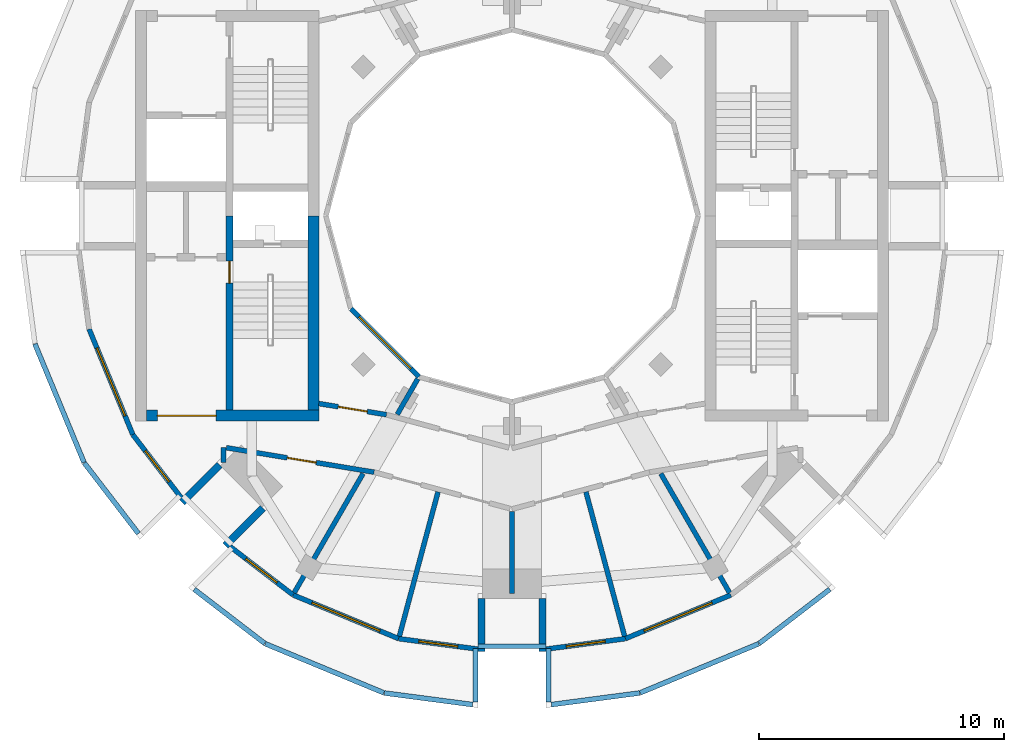
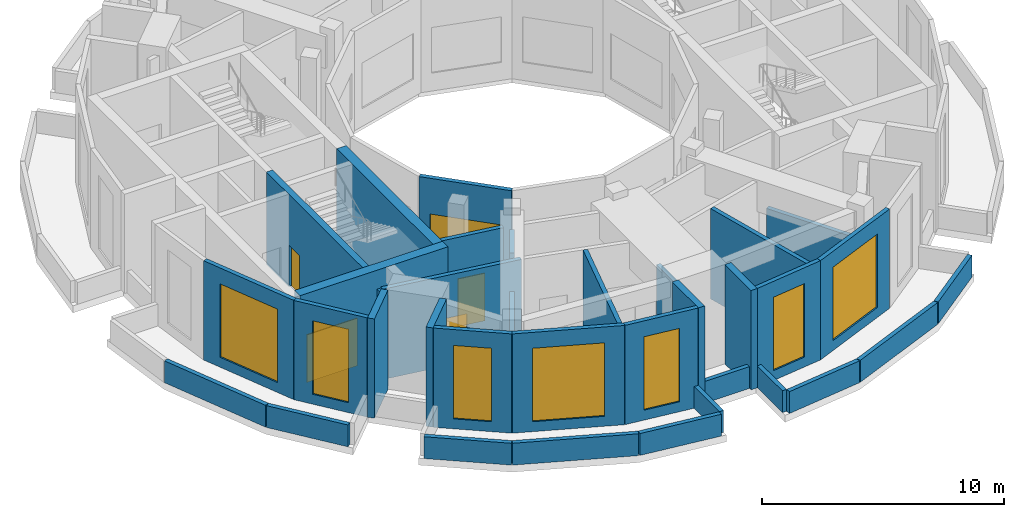
# One storey, part 2 of 8: 35 walls, 8 windows, 4 doors, 12 openings.
"""IFC4 building model written with IfcOpenShell, lengths in metres."""

import ifcopenshell
import ifcopenshell.guid

model = None  # the IFC model being written
_history = None  # IfcOwnerHistory: only IFC2X3 demands one
_inside = {}  # id of a spatial element -> (the spatial element, [elements in it])
_under = {}  # id of a project, library or spatial element -> (it, [spatial elements below it])
_declared = {}  # id of a project -> (the project, [libraries it declares])
_typed = {}  # id of a type object -> (the type object, [elements of that type])
_made_of = {}  # id of a material, layer set ... -> (it, [elements and type objects made of it])


def new_model(schema):
    """Start an empty IFC model of exactly this schema.

    Asked for "IFC4X3", IfcOpenShell would pick the latest addendum, in which some entities
    have other attributes; the version numbers below select the first issue.
    IFC2X3 requires an IfcOwnerHistory on every rooted entity: one is made here for all.
    """
    global model, _history
    if schema == "IFC4X3":
        model = ifcopenshell.file(schema_version=(4, 3, 0, 0))
    else:
        model = ifcopenshell.file(schema=schema)
    _inside.clear()
    _under.clear()
    _declared.clear()
    _typed.clear()
    _made_of.clear()
    _history = None
    if model.schema == "IFC2X3":
        org = make("IfcOrganization", Name="unknown")
        user = make(
            "IfcPersonAndOrganization",
            ThePerson=make("IfcPerson", FamilyName="unknown"),
            TheOrganization=org,
        )
        app = make(
            "IfcApplication",
            ApplicationDeveloper=org,
            Version="unknown",
            ApplicationFullName="unknown",
            ApplicationIdentifier="unknown",
        )
        _history = make(
            "IfcOwnerHistory",
            OwningUser=user,
            OwningApplication=app,
            ChangeAction="ADDED",
            CreationDate=0,
        )
    return model


def make(cls, **values):
    """One entity of the class cls with the attributes given. An attribute that is None is left unset."""
    return model.create_entity(
        cls, **{name: value for name, value in values.items() if value is not None}
    )


def rooted(cls, **values):
    """An entity with a GlobalId (a new one), such as an element, a storey or a relation."""
    return make(cls, GlobalId=ifcopenshell.guid.new(), OwnerHistory=_history, **values)


def si_unit(unit_type, name, prefix=None):
    """IfcSIUnit, for example si_unit("LENGTHUNIT", "METRE", prefix="MILLI")."""
    return make("IfcSIUnit", UnitType=unit_type, Prefix=prefix, Name=name)


def assignment(units):
    """IfcUnitAssignment: the units of a project."""
    return None if units is None else make("IfcUnitAssignment", Units=units)


def point(xyz):
    """IfcCartesianPoint."""
    return None if xyz is None else make("IfcCartesianPoint", Coordinates=xyz)


def direction(xyz):
    """IfcDirection."""
    return None if xyz is None else make("IfcDirection", DirectionRatios=xyz)


def frame(location, z_axis=None, x_axis=None):
    """IfcAxis2Placement3D, a coordinate frame: its origin and axes. An axis left out is left unset."""
    return make(
        "IfcAxis2Placement3D",
        Location=point(location),
        Axis=direction(z_axis),
        RefDirection=direction(x_axis),
    )


def frame_2d(location, x_axis=None):
    """IfcAxis2Placement2D, a coordinate frame in the plane: its origin and x axis."""
    return make(
        "IfcAxis2Placement2D", Location=point(location), RefDirection=direction(x_axis)
    )


def origin():
    """The frame at (0, 0, 0) with its axes left unset."""
    return frame((0.0, 0.0, 0.0))


def place(relative_to, where):
    """IfcLocalPlacement: puts the frame where relative to a parent placement (None: the world)."""
    return make(
        "IfcLocalPlacement", PlacementRelTo=relative_to, RelativePlacement=where
    )


def context(
    kind, dimensions, precision=None, world=None, true_north=None, identifier=None
):
    """IfcGeometricRepresentationContext, for example the 3D "Model" context."""
    return make(
        "IfcGeometricRepresentationContext",
        ContextIdentifier=identifier,
        ContextType=kind,
        CoordinateSpaceDimension=dimensions,
        Precision=precision,
        WorldCoordinateSystem=world,
        TrueNorth=true_north,
    )


def subcontext(parent, identifier, kind, view, scale=None):
    """IfcGeometricRepresentationSubContext, for example "Body" below "Model"."""
    return make(
        "IfcGeometricRepresentationSubContext",
        ContextIdentifier=identifier,
        ContextType=kind,
        ParentContext=parent,
        TargetScale=scale,
        TargetView=view,
    )


def project(units=None, contexts=None):
    """IfcProject with its units and contexts."""
    return rooted(
        "IfcProject",
        Name="project",
        RepresentationContexts=contexts,
        UnitsInContext=assignment(units),
    )


def spatial(cls, under=None, at=None, **own):
    """A site, building, storey or space (cls), placed at a placement, below another one or the project."""
    s = rooted(cls, ObjectPlacement=at, **own)
    if under is not None:
        _under.setdefault(under.id(), (under, []))[1].append(s)
    return s


def profile(cls, at=None, kind="AREA", **sizes):
    """A parametric profile (cls). Its sizes go by their IFC names, for example OverallWidth=200.0."""
    return make(cls, ProfileType=kind, Position=at, **sizes)


def rectangle(**sizes):
    """IfcRectangleProfileDef."""
    return profile("IfcRectangleProfileDef", **sizes)


def extrude(swept, where, along, depth):
    """IfcExtrudedAreaSolid: the profile swept, set in the frame where, extruded along a direction by depth."""
    return make(
        "IfcExtrudedAreaSolid",
        SweptArea=swept,
        Position=where,
        ExtrudedDirection=direction(along),
        Depth=depth,
    )


def shape(context_of_items, identifier, shape_type, items):
    """IfcShapeRepresentation: the items that make up one representation, for example the "Body"."""
    return make(
        "IfcShapeRepresentation",
        ContextOfItems=context_of_items,
        RepresentationIdentifier=identifier,
        RepresentationType=shape_type,
        Items=items,
    )


def material(Name=None, Category=None):
    """IfcMaterial."""
    return make("IfcMaterial", Name=Name, Category=Category)


def layer(
    of_material, thickness, ventilated=None, Name=None, Category=None, Priority=None
):
    """IfcMaterialLayer: one layer of a wall or slab, of a material (None: an air gap)."""
    return make(
        "IfcMaterialLayer",
        Material=of_material,
        LayerThickness=thickness,
        IsVentilated=ventilated,
        Name=Name,
        Category=Category,
        Priority=Priority,
    )


def layer_set(layers, Name=None):
    """IfcMaterialLayerSet."""
    return make("IfcMaterialLayerSet", MaterialLayers=layers, LayerSetName=Name)


def made_of(thing, what):
    """Note that an element or type object is made of a material, layer set ...; save() writes the relation."""
    if what is not None:
        _made_of.setdefault(what.id(), (what, []))[1].append(thing)
    return thing


def type_object(cls, material=None, **own):
    """A type object (cls), such as IfcWallType, which elements share."""
    return made_of(rooted(cls, **own), material)


def element(
    cls,
    number,
    at=None,
    inside=None,
    cuts=None,
    type_object=None,
    material=None,
    context=None,
    identifier="Body",
    shape_type=None,
    held_by="IfcProductDefinitionShape",
    body=None,
    shapes=None,
    **own,
):
    """One element of the class cls, such as IfcWall. Its Tag is "e" and its number.

    at: its placement. inside: the storey or other place that contains it. cuts: it is an
    opening in that element (IfcRelVoidsElement). A single representation is given by context,
    identifier, shape_type and body (its items); several are given by shapes. held_by: the class
    of the entity that holds the representations. save() writes the other relations.
    """
    e = rooted(cls, Tag="e%d" % number, ObjectPlacement=at, **own)
    if body is not None:
        shapes = [shape(context, identifier, shape_type, body)]
    if shapes is not None:
        e.Representation = make(held_by, Representations=shapes)
    if inside is not None:
        _inside.setdefault(inside.id(), (inside, []))[1].append(e)
    if cuts is not None:
        rooted(
            "IfcRelVoidsElement", RelatingBuildingElement=cuts, RelatedOpeningElement=e
        )
    if type_object is not None:
        _typed.setdefault(type_object.id(), (type_object, []))[1].append(e)
    return made_of(e, material)


def fill(opening, filler):
    """IfcRelFillsElement: the door or window that sits in an opening."""
    return rooted(
        "IfcRelFillsElement",
        RelatingOpeningElement=opening,
        RelatedBuildingElement=filler,
    )


def aggregate(whole, parts):
    """IfcRelAggregates: a whole, such as a stair, and the parts it consists of."""
    return rooted("IfcRelAggregates", RelatingObject=whole, RelatedObjects=parts)


def save(model, path):
    """Write the relations noted so far, then the file.

    IfcRelAggregates (storeys below a building ...), IfcRelContainedInSpatialStructure (elements
    in a storey), IfcRelDefinesByType, IfcRelAssociatesMaterial and IfcRelDeclares: one each for
    every whole, place, type object, material and project.
    """
    for whole, parts in _under.values():
        aggregate(whole, parts)
    for where, things in _inside.values():
        rooted(
            "IfcRelContainedInSpatialStructure",
            RelatedElements=things,
            RelatingStructure=where,
        )
    for kind, things in _typed.values():
        rooted("IfcRelDefinesByType", RelatedObjects=things, RelatingType=kind)
    for what, things in _made_of.values():
        rooted("IfcRelAssociatesMaterial", RelatedObjects=things, RelatingMaterial=what)
    for by, libraries in _declared.values():
        rooted("IfcRelDeclares", RelatingContext=by, RelatedDefinitions=libraries)
    model.write(path)


model = new_model("IFC4")

# Units and contexts
model_context = context("Model", 3, precision=1e-05, world=origin(), true_north=direction((0.0, 1.0)))
body_context = subcontext(model_context, "Body", "Model", "MODEL_VIEW")
ifc_project = project(units=[si_unit("LENGTHUNIT", "METRE"), si_unit("AREAUNIT", "SQUARE_METRE"), si_unit("VOLUMEUNIT", "CUBIC_METRE"), si_unit("PLANEANGLEUNIT", "RADIAN"), si_unit("MASSUNIT", "GRAM", prefix="KILO")], contexts=[model_context])

# Site, building, storey
site_placement = place(None, origin())
site = spatial("IfcSite", under=ifc_project, at=site_placement, CompositionType="ELEMENT")
building_placement = place(site_placement, origin())
building = spatial("IfcBuilding", under=site, at=building_placement, Name="Torre Brocal", CompositionType="ELEMENT")
storey_placement = place(building_placement, frame((0.0, 0.0, 328.10009765625)))
storey = spatial("IfcBuildingStorey", under=building, at=storey_placement, Name="L75", CompositionType="ELEMENT", Elevation=328.10009765625)

# Wall, opening, door
ifc_material_1 = material(Name="Concrete C50", Category="concrete")
ifc_layer_1 = layer(ifc_material_1, 0.300048828125)
ifc_layer_set_1 = layer_set([ifc_layer_1], Name="Concrete C50")
wall_type_1 = type_object("IfcWallType", Name="CORE WALL 300 C50 UNDER 350 SLAB", PredefinedType="SHEAR", material=ifc_layer_set_1)
wall_1_placement = place(storey_placement, frame((68.449951171875, 75.0, 0.0), z_axis=(0.0, 0.0, 1.0), x_axis=(0.0, -1.0, 0.0)))
wall_1 = element("IfcWall", 1, at=wall_1_placement, inside=storey, type_object=wall_type_1, Name="Wall CW300-50-S350", PredefinedType="SHEAR", context=body_context, shape_type="SweptSolid", body=[
    extrude(rectangle(XDim=7.949951171875, YDim=0.300048828125, at=frame_2d((3.97509765625, 0.0))), origin(), (0.0, 0.0, 1.0), 4.64990234375),
])
opening_1_placement = place(wall_1_placement, frame((1.85009765625, 0.0, 0.0)))
opening_1 = element("IfcOpeningElement", 2, at=opening_1_placement, cuts=wall_1, Name="Opening W-D02", PredefinedType="OPENING", context=body_context, shape_type="SweptSolid", body=[
    extrude(rectangle(XDim=0.89990234375, YDim=2.10009765625, at=frame_2d((0.449951171875, 1.050048828125))), frame((0.0, 0.159912109375, 0.0), z_axis=(0.0, -1.0, 0.0), x_axis=(1.0, 0.0, 0.0)), (0.0, 0.0, 1.0), 0.320068359375),
])
ifc_material_2 = material(Name="Steel A653", Category="steel")
door_type_1 = type_object("IfcDoorType", Name="STAIR DOOR FD120 900X2100", OperationType="SINGLE_SWING_RIGHT", PredefinedType="DOOR", material=ifc_material_2)
door_1_placement = place(opening_1_placement, origin())
door_1 = element("IfcDoor", 3, at=door_1_placement, inside=storey, type_object=door_type_1, Name="Door W-D02", OperationType="SINGLE_SWING_LEFT", OverallHeight=2.10009765625, OverallWidth=0.89990234375, PredefinedType="DOOR", context=body_context, shape_type="SweptSolid", body=[
    extrude(rectangle(XDim=0.89990234375, YDim=2.10009765625, at=frame_2d((0.449951171875, 1.050048828125))), frame((0.0, 0.02490234375, 0.0), z_axis=(0.0, -1.0, 0.0), x_axis=(1.0, 0.0, 0.0)), (0.0, 0.0, 1.0), 0.050048828125),
])
fill(opening_1, door_1)

ifc_material_3 = material(Name="Concrete C50", Category="concrete")
ifc_layer_2 = layer(ifc_material_3, 0.449951171875)
ifc_layer_set_2 = layer_set([ifc_layer_2], Name="Concrete C50")
wall_type_2 = type_object("IfcWallType", Name="CORE WALL 450 C50 UNDER 350 SLAB", PredefinedType="SHEAR", material=ifc_layer_set_2)
wall_2_placement = place(storey_placement, frame((72.10009765625, 66.824951171875, 0.0), z_axis=(0.0, 0.0, 1.0), x_axis=(-1.0, 0.0, 0.0)))
wall_2 = element("IfcWall", 4, at=wall_2_placement, inside=storey, type_object=wall_type_2, Name="Wall CW450-50-S350", PredefinedType="SHEAR", context=body_context, shape_type="SweptSolid", body=[
    extrude(rectangle(XDim=7.050048828125, YDim=0.449951171875, at=frame_2d((3.52490234375, 0.0))), origin(), (0.0, 0.0, 1.0), 4.64990234375),
])
opening_2_placement = place(wall_2_placement, frame((4.199951171875, 0.0, 0.0)))
opening_2 = element("IfcOpeningElement", 5, at=opening_2_placement, cuts=wall_2, Name="Opening W-D23", PredefinedType="OPENING", context=body_context, shape_type="SweptSolid", body=[
    extrude(rectangle(XDim=2.39990234375, YDim=2.39990234375, at=frame_2d((1.199951171875, 1.199951171875))), frame((0.0, 0.23486328125, 0.0), z_axis=(0.0, -1.0, 0.0), x_axis=(1.0, 0.0, 0.0)), (0.0, 0.0, 1.0), 0.469970703125),
])
ifc_material_4 = material(Name="Steel A653", Category="steel")
door_type_2 = type_object("IfcDoorType", Name="DOUBLE FIRE DOOR FD90 2400X2400", OperationType="DOUBLE_DOOR_SINGLE_SWING", PredefinedType="DOOR", material=ifc_material_4)
door_2_placement = place(opening_2_placement, frame((2.39990234375, 0.0, 0.0), z_axis=(0.0, 0.0, 1.0), x_axis=(-1.0, 0.0, 0.0)))
door_2 = element("IfcDoor", 6, at=door_2_placement, inside=storey, type_object=door_type_2, Name="Door W-D23", OperationType="DOUBLE_DOOR_SINGLE_SWING", OverallHeight=2.39990234375, OverallWidth=2.39990234375, PredefinedType="DOOR", context=body_context, shape_type="SweptSolid", body=[
    extrude(rectangle(XDim=2.39990234375, YDim=2.39990234375, at=frame_2d((1.199951171875, 1.199951171875))), frame((0.0, 0.02490234375, 0.0), z_axis=(0.0, -1.0, 0.0), x_axis=(1.0, 0.0, 0.0)), (0.0, 0.0, 1.0), 0.050048828125),
])
fill(opening_2, door_2)

# Wall
wall_3_placement = place(storey_placement, frame((71.875, 75.0, 0.0), z_axis=(0.0, 0.0, 1.0), x_axis=(0.0, -1.0, 0.0)))
element("IfcWall", 7, at=wall_3_placement, inside=storey, type_object=wall_type_2, Name="Wall CW450-50-S350", PredefinedType="SHEAR", context=body_context, shape_type="SweptSolid", body=[
    extrude(rectangle(XDim=7.949951171875, YDim=0.449951171875, at=frame_2d((3.97509765625, 0.0))), origin(), (0.0, 0.0, 1.0), 4.64990234375),
])

# Wall, opening, window
ifc_material_5 = material(Name="Concrete C40", Category="concrete")
ifc_layer_3 = layer(ifc_material_5, 0.199951171875)
ifc_layer_set_3 = layer_set([ifc_layer_3], Name="Concrete C40")
wall_type_3 = type_object("IfcWallType", Name="LOUVRED PLANT WALL 200", PredefinedType="NOTDEFINED", material=ifc_layer_set_3)
wall_4_placement = place(storey_placement, frame((62.710693359375, 70.367431640625, 0.0), z_axis=(0.0, 0.0, 1.0), x_axis=(0.382677892842, -0.923881827038, 0.0)))
wall_4 = element("IfcWall", 8, at=wall_4_placement, inside=storey, type_object=wall_type_3, Name="LOUVRED PLANT WALL", PredefinedType="NOTDEFINED", context=body_context, shape_type="SweptSolid", body=[
    extrude(rectangle(XDim=4.672607421875, YDim=0.199951171875, at=frame_2d((2.33642578125, 0.0))), origin(), (0.0, 0.0, 1.0), 5.0),
])
opening_3_placement = place(wall_4_placement, frame((0.83642578125, 0.0, 0.5)))
opening_3 = element("IfcOpeningElement", 9, at=opening_3_placement, cuts=wall_4, Name="Opening LV-3000-3700", PredefinedType="OPENING", context=body_context, shape_type="SweptSolid", body=[
    extrude(rectangle(XDim=3.0, YDim=3.699951171875, at=frame_2d((1.5, 1.85009765625))), frame((0.0, 0.10986328125, 0.0), z_axis=(0.0, -1.0, 0.0), x_axis=(1.0, 0.0, 0.0)), (0.0, 0.0, 1.0), 0.219970703125),
])
ifc_material_6 = material(Name="Aluminium louvre", Category="aluminium")
window_type_1 = type_object("IfcWindowType", Name="LOUVRE PANEL 3000X3700", PartitioningType="SINGLE_PANEL", PredefinedType="USERDEFINED", material=ifc_material_6)
window_1_placement = place(opening_3_placement, origin())
window_1 = element("IfcWindow", 10, at=window_1_placement, inside=storey, type_object=window_type_1, Name="LOUVRE PANEL 3000X3700", ObjectType="LOUVRE", OverallHeight=3.699951171875, OverallWidth=3.0, PartitioningType="SINGLE_PANEL", PredefinedType="USERDEFINED", context=body_context, shape_type="SweptSolid", body=[
    extrude(rectangle(XDim=3.0, YDim=3.699951171875, at=frame_2d((1.5, 1.85009765625))), frame((0.0, 0.030029296875, 0.0), z_axis=(0.0, -1.0, 0.0), x_axis=(1.0, 0.0, 0.0)), (0.0, 0.0, 1.0), 0.06005859375),
])
fill(opening_3, window_1)

wall_5_placement = place(storey_placement, frame((64.498779296875, 66.050537109375, 0.0), z_axis=(0.0, 0.0, 1.0), x_axis=(0.608780431243, -0.793338759003, 0.0)))
wall_5 = element("IfcWall", 11, at=wall_5_placement, inside=storey, type_object=wall_type_3, Name="LOUVRED PLANT WALL", PredefinedType="NOTDEFINED", context=body_context, shape_type="SweptSolid", body=[
    extrude(rectangle(XDim=3.2607421875, YDim=0.199951171875, at=frame_2d((1.63037109375, 0.0))), origin(), (0.0, 0.0, 1.0), 5.0),
])
opening_4_placement = place(wall_5_placement, frame((0.830322265625, 0.0, 0.5)))
opening_4 = element("IfcOpeningElement", 12, at=opening_4_placement, cuts=wall_5, Name="Opening LV-1600-3700", PredefinedType="OPENING", context=body_context, shape_type="SweptSolid", body=[
    extrude(rectangle(XDim=1.60009765625, YDim=3.699951171875, at=frame_2d((0.800048828125, 1.85009765625))), frame((0.0, 0.10986328125, 0.0), z_axis=(0.0, -1.0, 0.0), x_axis=(1.0, 0.0, 0.0)), (0.0, 0.0, 1.0), 0.219970703125),
])
ifc_material_7 = material(Name="Aluminium louvre", Category="aluminium")
window_type_2 = type_object("IfcWindowType", Name="LOUVRE PANEL 1600X3700", PartitioningType="SINGLE_PANEL", PredefinedType="USERDEFINED", material=ifc_material_7)
window_2_placement = place(opening_4_placement, origin())
window_2 = element("IfcWindow", 13, at=window_2_placement, inside=storey, type_object=window_type_2, Name="LOUVRE PANEL 1600X3700", ObjectType="LOUVRE", OverallHeight=3.699951171875, OverallWidth=1.60009765625, PartitioningType="SINGLE_PANEL", PredefinedType="USERDEFINED", context=body_context, shape_type="SweptSolid", body=[
    extrude(rectangle(XDim=1.60009765625, YDim=3.699951171875, at=frame_2d((0.800048828125, 1.85009765625))), frame((0.0, 0.030029296875, 0.0), z_axis=(0.0, -1.0, 0.0), x_axis=(1.0, 0.0, 0.0)), (0.0, 0.0, 1.0), 0.06005859375),
])
fill(opening_4, window_2)

wall_6_placement = place(storey_placement, frame((68.463623046875, 61.48388671875, 0.0), z_axis=(0.0, 0.0, 1.0), x_axis=(0.793338759003, -0.608780431243, 0.0)))
wall_6 = element("IfcWall", 14, at=wall_6_placement, inside=storey, type_object=wall_type_3, Name="LOUVRED PLANT WALL", PredefinedType="NOTDEFINED", context=body_context, shape_type="SweptSolid", body=[
    extrude(rectangle(XDim=3.2607421875, YDim=0.199951171875, at=frame_2d((1.63037109375, 0.0))), origin(), (0.0, 0.0, 1.0), 5.0),
])
opening_5_placement = place(wall_6_placement, frame((0.830322265625, 0.0, 0.5)))
opening_5 = element("IfcOpeningElement", 15, at=opening_5_placement, cuts=wall_6, Name="Opening LV-1600-3700", PredefinedType="OPENING", context=body_context, shape_type="SweptSolid", body=[
    extrude(rectangle(XDim=1.60009765625, YDim=3.699951171875, at=frame_2d((0.800048828125, 1.85009765625))), frame((0.0, 0.10986328125, 0.0), z_axis=(0.0, -1.0, 0.0), x_axis=(1.0, 0.0, 0.0)), (0.0, 0.0, 1.0), 0.219970703125),
])
window_3_placement = place(opening_5_placement, origin())
window_3 = element("IfcWindow", 16, at=window_3_placement, inside=storey, type_object=window_type_2, Name="LOUVRE PANEL 1600X3700", ObjectType="LOUVRE", OverallHeight=3.699951171875, OverallWidth=1.60009765625, PartitioningType="SINGLE_PANEL", PredefinedType="USERDEFINED", context=body_context, shape_type="SweptSolid", body=[
    extrude(rectangle(XDim=1.60009765625, YDim=3.699951171875, at=frame_2d((0.800048828125, 1.85009765625))), frame((0.0, 0.030029296875, 0.0), z_axis=(0.0, -1.0, 0.0), x_axis=(1.0, 0.0, 0.0)), (0.0, 0.0, 1.0), 0.06005859375),
])
fill(opening_5, window_3)

wall_7_placement = place(storey_placement, frame((71.050537109375, 59.498779296875, 0.0), z_axis=(0.0, 0.0, 1.0), x_axis=(0.923881827038, -0.382677892842, 0.0)))
wall_7 = element("IfcWall", 17, at=wall_7_placement, inside=storey, type_object=wall_type_3, Name="LOUVRED PLANT WALL", PredefinedType="NOTDEFINED", context=body_context, shape_type="SweptSolid", body=[
    extrude(rectangle(XDim=4.672607421875, YDim=0.199951171875, at=frame_2d((2.33642578125, 0.0))), origin(), (0.0, 0.0, 1.0), 5.0),
])
opening_6_placement = place(wall_7_placement, frame((0.83642578125, 0.0, 0.5)))
opening_6 = element("IfcOpeningElement", 18, at=opening_6_placement, cuts=wall_7, Name="Opening LV-3000-3700", PredefinedType="OPENING", context=body_context, shape_type="SweptSolid", body=[
    extrude(rectangle(XDim=3.0, YDim=3.699951171875, at=frame_2d((1.5, 1.85009765625))), frame((0.0, 0.10986328125, 0.0), z_axis=(0.0, -1.0, 0.0), x_axis=(1.0, 0.0, 0.0)), (0.0, 0.0, 1.0), 0.219970703125),
])
window_4_placement = place(opening_6_placement, origin())
window_4 = element("IfcWindow", 19, at=window_4_placement, inside=storey, type_object=window_type_1, Name="LOUVRE PANEL 3000X3700", ObjectType="LOUVRE", OverallHeight=3.699951171875, OverallWidth=3.0, PartitioningType="SINGLE_PANEL", PredefinedType="USERDEFINED", context=body_context, shape_type="SweptSolid", body=[
    extrude(rectangle(XDim=3.0, YDim=3.699951171875, at=frame_2d((1.5, 1.85009765625))), frame((0.0, 0.030029296875, 0.0), z_axis=(0.0, -1.0, 0.0), x_axis=(1.0, 0.0, 0.0)), (0.0, 0.0, 1.0), 0.06005859375),
])
fill(opening_6, window_4)

wall_8_placement = place(storey_placement, frame((75.367431640625, 57.710693359375, 0.0), z_axis=(0.0, 0.0, 1.0), x_axis=(0.991446903093, -0.130510682886, 0.0)))
wall_8 = element("IfcWall", 20, at=wall_8_placement, inside=storey, type_object=wall_type_3, Name="LOUVRED PLANT WALL", PredefinedType="NOTDEFINED", context=body_context, shape_type="SweptSolid", body=[
    extrude(rectangle(XDim=3.260498046875, YDim=0.199951171875, at=frame_2d((1.63037109375, 0.0))), origin(), (0.0, 0.0, 1.0), 5.0),
])
opening_7_placement = place(wall_8_placement, frame((0.830322265625, 0.0, 0.5)))
opening_7 = element("IfcOpeningElement", 21, at=opening_7_placement, cuts=wall_8, Name="Opening LV-1600-3700", PredefinedType="OPENING", context=body_context, shape_type="SweptSolid", body=[
    extrude(rectangle(XDim=1.60009765625, YDim=3.699951171875, at=frame_2d((0.800048828125, 1.85009765625))), frame((0.0, 0.10986328125, 0.0), z_axis=(0.0, -1.0, 0.0), x_axis=(1.0, 0.0, 0.0)), (0.0, 0.0, 1.0), 0.219970703125),
])
window_5_placement = place(opening_7_placement, origin())
window_5 = element("IfcWindow", 22, at=window_5_placement, inside=storey, type_object=window_type_2, Name="LOUVRE PANEL 1600X3700", ObjectType="LOUVRE", OverallHeight=3.699951171875, OverallWidth=1.60009765625, PartitioningType="SINGLE_PANEL", PredefinedType="USERDEFINED", context=body_context, shape_type="SweptSolid", body=[
    extrude(rectangle(XDim=1.60009765625, YDim=3.699951171875, at=frame_2d((0.800048828125, 1.85009765625))), frame((0.0, 0.030029296875, 0.0), z_axis=(0.0, -1.0, 0.0), x_axis=(1.0, 0.0, 0.0)), (0.0, 0.0, 1.0), 0.06005859375),
])
fill(opening_7, window_5)

wall_9_placement = place(storey_placement, frame((81.39990234375, 57.28515625, 0.0), z_axis=(0.0, 0.0, 1.0), x_axis=(0.991446903093, 0.130510682886, 0.0)))
wall_9 = element("IfcWall", 23, at=wall_9_placement, inside=storey, type_object=wall_type_3, Name="LOUVRED PLANT WALL", PredefinedType="NOTDEFINED", context=body_context, shape_type="SweptSolid", body=[
    extrude(rectangle(XDim=3.260498046875, YDim=0.199951171875, at=frame_2d((1.63037109375, 0.0))), origin(), (0.0, 0.0, 1.0), 5.0),
])
opening_8_placement = place(wall_9_placement, frame((0.830322265625, 0.0, 0.5)))
opening_8 = element("IfcOpeningElement", 24, at=opening_8_placement, cuts=wall_9, Name="Opening LV-1600-3700", PredefinedType="OPENING", context=body_context, shape_type="SweptSolid", body=[
    extrude(rectangle(XDim=1.60009765625, YDim=3.699951171875, at=frame_2d((0.800048828125, 1.85009765625))), frame((0.0, 0.10986328125, 0.0), z_axis=(0.0, -1.0, 0.0), x_axis=(1.0, 0.0, 0.0)), (0.0, 0.0, 1.0), 0.219970703125),
])
window_6_placement = place(opening_8_placement, origin())
window_6 = element("IfcWindow", 25, at=window_6_placement, inside=storey, type_object=window_type_2, Name="LOUVRE PANEL 1600X3700", ObjectType="LOUVRE", OverallHeight=3.699951171875, OverallWidth=1.60009765625, PartitioningType="SINGLE_PANEL", PredefinedType="USERDEFINED", context=body_context, shape_type="SweptSolid", body=[
    extrude(rectangle(XDim=1.60009765625, YDim=3.699951171875, at=frame_2d((0.800048828125, 1.85009765625))), frame((0.0, 0.030029296875, 0.0), z_axis=(0.0, -1.0, 0.0), x_axis=(1.0, 0.0, 0.0)), (0.0, 0.0, 1.0), 0.06005859375),
])
fill(opening_8, window_6)

wall_10_placement = place(storey_placement, frame((84.632568359375, 57.710693359375, 0.0), z_axis=(0.0, 0.0, 1.0), x_axis=(0.923881827038, 0.382677892842, 0.0)))
wall_10 = element("IfcWall", 26, at=wall_10_placement, inside=storey, type_object=wall_type_3, Name="LOUVRED PLANT WALL", PredefinedType="NOTDEFINED", context=body_context, shape_type="SweptSolid", body=[
    extrude(rectangle(XDim=4.672607421875, YDim=0.199951171875, at=frame_2d((2.33642578125, 0.0))), origin(), (0.0, 0.0, 1.0), 5.0),
])
opening_9_placement = place(wall_10_placement, frame((0.83642578125, 0.0, 0.5)))
opening_9 = element("IfcOpeningElement", 27, at=opening_9_placement, cuts=wall_10, Name="Opening LV-3000-3700", PredefinedType="OPENING", context=body_context, shape_type="SweptSolid", body=[
    extrude(rectangle(XDim=3.0, YDim=3.699951171875, at=frame_2d((1.5, 1.85009765625))), frame((0.0, 0.10986328125, 0.0), z_axis=(0.0, -1.0, 0.0), x_axis=(1.0, 0.0, 0.0)), (0.0, 0.0, 1.0), 0.219970703125),
])
window_7_placement = place(opening_9_placement, origin())
window_7 = element("IfcWindow", 28, at=window_7_placement, inside=storey, type_object=window_type_1, Name="LOUVRE PANEL 3000X3700", ObjectType="LOUVRE", OverallHeight=3.699951171875, OverallWidth=3.0, PartitioningType="SINGLE_PANEL", PredefinedType="USERDEFINED", context=body_context, shape_type="SweptSolid", body=[
    extrude(rectangle(XDim=3.0, YDim=3.699951171875, at=frame_2d((1.5, 1.85009765625))), frame((0.0, 0.030029296875, 0.0), z_axis=(0.0, -1.0, 0.0), x_axis=(1.0, 0.0, 0.0)), (0.0, 0.0, 1.0), 0.06005859375),
])
fill(opening_9, window_7)

# Walls
ifc_material_8 = material(Name="Concrete C50", Category="concrete")
ifc_layer_4 = layer(ifc_material_8, 0.300048828125)
ifc_layer_set_4 = layer_set([ifc_layer_4], Name="Concrete C50")
wall_type_4 = type_object("IfcWallType", Name="NOTCH RETURN WALL 300 C50", PredefinedType="NOTDEFINED", material=ifc_layer_set_4)
for number, where, z_axis, x_axis, name in (
    (29, (68.0498046875, 64.817626953125, 0.0), (0.0, 0.0, 1.0), (-0.707106781187, -0.707106781187, 0.0), "NOTCH RETURN WALL"),
    (30, (69.817626953125, 63.0498046875, 0.0), (0.0, 0.0, 1.0), (-0.707106781187, -0.707106781187, 0.0), "NOTCH RETURN WALL"),
):
    element("IfcWall", number, at=place(storey_placement, frame(where, z_axis=z_axis, x_axis=x_axis)), inside=storey, type_object=wall_type_4, Name=name, PredefinedType="NOTDEFINED", context=body_context, shape_type="SweptSolid", body=[
        extrude(rectangle(XDim=2.16552734375, YDim=0.300048828125, at=frame_2d((1.082763671875, 0.0))), origin(), (0.0, 0.0, 1.0), 5.0),
    ])
for number, where, z_axis, x_axis, name in (
    (31, (78.75, 59.35009765625, 0.0), (0.0, 0.0, 1.0), (0.0, -1.0, 0.0), "NOTCH RETURN WALL"),
    (32, (81.25, 59.35009765625, 0.0), (0.0, 0.0, 1.0), (0.0, -1.0, 0.0), "NOTCH RETURN WALL"),
):
    element("IfcWall", number, at=place(storey_placement, frame(where, z_axis=z_axis, x_axis=x_axis)), inside=storey, type_object=wall_type_4, Name=name, PredefinedType="NOTDEFINED", context=body_context, shape_type="SweptSolid", body=[
        extrude(rectangle(XDim=2.165771484375, YDim=0.300048828125, at=frame_2d((1.0830078125, 0.0))), origin(), (0.0, 0.0, 1.0), 5.0),
    ])
ifc_material_9 = material(Name="Concrete C40", Category="concrete")
ifc_layer_5 = layer(ifc_material_9, 0.199951171875)
ifc_layer_set_5 = layer_set([ifc_layer_5], Name="Concrete C40")
wall_type_5 = type_object("IfcWallType", Name="PARAPET WALL 200 THICK 1100 HIGH 4", PredefinedType="PARAPET", material=ifc_layer_set_5)
wall_11_placement = place(storey_placement, frame((92.990966796875, 59.727783203125, 0.0), z_axis=(0.0, 0.0, 1.0), x_axis=(-0.793370471742, -0.608739102217, 0.0)))
element("IfcWall", 33, at=wall_11_placement, inside=storey, type_object=wall_type_5, Name="PARAPET WALL 12", PredefinedType="PARAPET", context=body_context, shape_type="SweptSolid", body=[
    extrude(rectangle(XDim=3.63232421875, YDim=0.199951171875, at=frame_2d((1.816162109375, 0.0))), origin(), (0.0, 0.0, 1.0), 1.099853515625),
])
wall_12_placement = place(storey_placement, frame((90.08642578125, 57.50341796875, 0.0), z_axis=(0.0, 0.0, 1.0), x_axis=(-0.92387900007, -0.38268471779, 0.0)))
element("IfcWall", 34, at=wall_12_placement, inside=storey, type_object=wall_type_5, Name="PARAPET WALL 13", PredefinedType="PARAPET", context=body_context, shape_type="SweptSolid", body=[
    extrude(rectangle(XDim=5.24609375, YDim=0.199951171875, at=frame_2d((2.623046875, 0.0))), origin(), (0.0, 0.0, 1.0), 1.099853515625),
])
wall_13_placement = place(storey_placement, frame((85.21435546875, 55.489013671875, 0.0), z_axis=(0.0, 0.0, 1.0), x_axis=(-0.991444913491, -0.130525796353, 0.0)))
element("IfcWall", 35, at=wall_13_placement, inside=storey, type_object=wall_type_5, Name="PARAPET WALL 14", PredefinedType="PARAPET", context=body_context, shape_type="SweptSolid", body=[
    extrude(rectangle(XDim=3.63232421875, YDim=0.199951171875, at=frame_2d((1.816162109375, 0.0))), origin(), (0.0, 0.0, 1.0), 1.099853515625),
])
wall_14_placement = place(storey_placement, frame((81.5, 55.114013671875, 0.0), z_axis=(0.0, 0.0, 1.0), x_axis=(0.0, 1.0, 0.0)))
element("IfcWall", 36, at=wall_14_placement, inside=storey, type_object=wall_type_5, Name="PARAPET WALL 15", PredefinedType="PARAPET", context=body_context, shape_type="SweptSolid", body=[
    extrude(rectangle(XDim=2.18603515625, YDim=0.199951171875, at=frame_2d((1.093017578125, 0.0))), origin(), (0.0, 0.0, 1.0), 1.099853515625),
])
wall_15_placement = place(storey_placement, frame((81.39990234375, 57.39990234375, 0.0), z_axis=(0.0, 0.0, 1.0), x_axis=(-1.0, 0.0, 0.0)))
element("IfcWall", 37, at=wall_15_placement, inside=storey, type_object=wall_type_5, Name="PARAPET WALL 16", PredefinedType="PARAPET", context=body_context, shape_type="SweptSolid", body=[
    extrude(rectangle(XDim=2.7998046875, YDim=0.199951171875, at=frame_2d((1.39990234375, 0.0))), origin(), (0.0, 0.0, 1.0), 1.099853515625),
])
wall_16_placement = place(storey_placement, frame((78.5, 57.300048828125, 0.0), z_axis=(0.0, 0.0, 1.0), x_axis=(0.0, -1.0, 0.0)))
element("IfcWall", 38, at=wall_16_placement, inside=storey, type_object=wall_type_5, Name="PARAPET WALL 17", PredefinedType="PARAPET", context=body_context, shape_type="SweptSolid", body=[
    extrude(rectangle(XDim=2.18603515625, YDim=0.199951171875, at=frame_2d((1.093017578125, 0.0))), origin(), (0.0, 0.0, 1.0), 1.099853515625),
])
wall_17_placement = place(storey_placement, frame((78.386962890625, 55.014892578125, 0.0), z_axis=(0.0, 0.0, 1.0), x_axis=(-0.991444913491, 0.130525796353, 0.0)))
element("IfcWall", 39, at=wall_17_placement, inside=storey, type_object=wall_type_5, Name="PARAPET WALL 18", PredefinedType="PARAPET", context=body_context, shape_type="SweptSolid", body=[
    extrude(rectangle(XDim=3.63232421875, YDim=0.199951171875, at=frame_2d((1.816162109375, 0.0))), origin(), (0.0, 0.0, 1.0), 1.099853515625),
])
wall_18_placement = place(storey_placement, frame((74.76025390625, 55.495849609375, 0.0), z_axis=(0.0, 0.0, 1.0), x_axis=(-0.92387900007, 0.38268471779, 0.0)))
element("IfcWall", 40, at=wall_18_placement, inside=storey, type_object=wall_type_5, Name="PARAPET WALL 19", PredefinedType="PARAPET", context=body_context, shape_type="SweptSolid", body=[
    extrude(rectangle(XDim=5.24609375, YDim=0.199951171875, at=frame_2d((2.623046875, 0.0))), origin(), (0.0, 0.0, 1.0), 1.099853515625),
])
for number, where, z_axis, x_axis, name in (
    (41, (69.890869140625, 57.5166015625, 0.0), (0.0, 0.0, 1.0), (-0.793370471742, 0.608739102217, 0.0), "PARAPET WALL 20"),
    (42, (64.727783203125, 62.009033203125, 0.0), (0.0, 0.0, 1.0), (-0.608739102217, 0.793370471742, 0.0), "PARAPET WALL 24"),
):
    element("IfcWall", number, at=place(storey_placement, frame(where, z_axis=z_axis, x_axis=x_axis)), inside=storey, type_object=wall_type_5, Name=name, PredefinedType="PARAPET", context=body_context, shape_type="SweptSolid", body=[
        extrude(rectangle(XDim=3.63232421875, YDim=0.199951171875, at=frame_2d((1.816162109375, 0.0))), origin(), (0.0, 0.0, 1.0), 1.099853515625),
    ])
wall_19_placement = place(storey_placement, frame((62.50341796875, 64.91357421875, 0.0), z_axis=(0.0, 0.0, 1.0), x_axis=(-0.38268471779, 0.92387900007, 0.0)))
element("IfcWall", 43, at=wall_19_placement, inside=storey, type_object=wall_type_5, Name="PARAPET WALL 25", PredefinedType="PARAPET", context=body_context, shape_type="SweptSolid", body=[
    extrude(rectangle(XDim=5.24609375, YDim=0.199951171875, at=frame_2d((2.623046875, 0.0))), origin(), (0.0, 0.0, 1.0), 1.099853515625),
])
ifc_material_10 = material(Name="Masonry block", Category="masonry")
ifc_layer_6 = layer(ifc_material_10, 0.199951171875)
ifc_layer_set_6 = layer_set([ifc_layer_6], Name="Masonry block")
wall_type_6 = type_object("IfcWallType", Name="PARTITION 200 EI120", PredefinedType="PARTITIONING", material=ifc_layer_set_6)
wall_20_placement = place(storey_placement, frame((68.199951171875, 64.910888671875, 0.0), z_axis=(0.0, 0.0, 1.0), x_axis=(0.0, 1.0, 0.0)))
element("IfcWall", 44, at=wall_20_placement, inside=storey, type_object=wall_type_6, Name="PLANT ROOM WALL", PredefinedType="PARTITIONING", context=body_context, shape_type="SweptSolid", body=[
    extrude(rectangle(XDim=0.6240234375, YDim=0.199951171875, at=frame_2d((0.31201171875, 0.0))), origin(), (0.0, 0.0, 1.0), 4.5498046875),
])

# Wall, opening, door
wall_21_placement = place(storey_placement, frame((68.319580078125, 65.516845703125, 0.0), z_axis=(0.0, 0.0, 1.0), x_axis=(0.986589332615, -0.163222206729, 0.0)))
wall_21 = element("IfcWall", 45, at=wall_21_placement, inside=storey, type_object=wall_type_6, Name="PLANT ROOM WALL", PredefinedType="PARTITIONING", context=body_context, shape_type="SweptSolid", body=[
    extrude(rectangle(XDim=6.12353515625, YDim=0.199951171875, at=frame_2d((3.061767578125, 0.0))), origin(), (0.0, 0.0, 1.0), 4.5498046875),
])
opening_10_placement = place(wall_21_placement, frame((2.52001953125, 0.0, 0.0)))
opening_10 = element("IfcOpeningElement", 46, at=opening_10_placement, cuts=wall_21, Name="Opening X4-D16", PredefinedType="OPENING", context=body_context, shape_type="SweptSolid", body=[
    extrude(rectangle(XDim=1.199951171875, YDim=2.39990234375, at=frame_2d((0.60009765625, 1.199951171875))), frame((0.0, 0.10986328125, 0.0), z_axis=(0.0, -1.0, 0.0), x_axis=(1.0, 0.0, 0.0)), (0.0, 0.0, 1.0), 0.219970703125),
])
ifc_material_11 = material(Name="Steel A653", Category="steel")
door_type_3 = type_object("IfcDoorType", Name="PLANT DOOR FD90 1200X2400", OperationType="SINGLE_SWING_RIGHT", PredefinedType="DOOR", material=ifc_material_11)
door_3_placement = place(opening_10_placement, frame((1.199951171875, 0.0, 0.0), z_axis=(0.0, 0.0, 1.0), x_axis=(-1.0, 0.0, 0.0)))
door_3 = element("IfcDoor", 47, at=door_3_placement, inside=storey, type_object=door_type_3, Name="X4-D16", OperationType="SINGLE_SWING_LEFT", OverallHeight=2.39990234375, OverallWidth=1.199951171875, PredefinedType="DOOR", context=body_context, shape_type="SweptSolid", body=[
    extrude(rectangle(XDim=1.199951171875, YDim=2.39990234375, at=frame_2d((0.60009765625, 1.199951171875))), frame((0.0, 0.02490234375, 0.0), z_axis=(0.0, -1.0, 0.0), x_axis=(1.0, 0.0, 0.0)), (0.0, 0.0, 1.0), 0.050048828125),
])
fill(opening_10, door_3)

wall_22_placement = place(storey_placement, frame((72.10009765625, 67.323974609375, 0.0), z_axis=(0.0, 0.0, 1.0), x_axis=(0.986637344471, -0.16293173569, 0.0)))
wall_22 = element("IfcWall", 48, at=wall_22_placement, inside=storey, type_object=wall_type_6, Name="PLANT ROOM WALL", PredefinedType="PARTITIONING", context=body_context, shape_type="SweptSolid", body=[
    extrude(rectangle(XDim=2.806640625, YDim=0.199951171875, at=frame_2d((1.4033203125, 0.0))), origin(), (0.0, 0.0, 1.0), 4.5498046875),
])
opening_11_placement = place(wall_22_placement, frame((0.808349609375, 0.0, 0.0)))
opening_11 = element("IfcOpeningElement", 49, at=opening_11_placement, cuts=wall_22, Name="Opening X4-D20", PredefinedType="OPENING", context=body_context, shape_type="SweptSolid", body=[
    extrude(rectangle(XDim=1.199951171875, YDim=2.39990234375, at=frame_2d((0.60009765625, 1.199951171875))), frame((0.0, 0.10986328125, 0.0), z_axis=(0.0, -1.0, 0.0), x_axis=(1.0, 0.0, 0.0)), (0.0, 0.0, 1.0), 0.219970703125),
])
door_4_placement = place(opening_11_placement, origin())
door_4 = element("IfcDoor", 50, at=door_4_placement, inside=storey, type_object=door_type_3, Name="X4-D20", OperationType="SINGLE_SWING_LEFT", OverallHeight=2.39990234375, OverallWidth=1.199951171875, PredefinedType="DOOR", context=body_context, shape_type="SweptSolid", body=[
    extrude(rectangle(XDim=1.199951171875, YDim=2.39990234375, at=frame_2d((0.60009765625, 1.199951171875))), frame((0.0, 0.02490234375, 0.0), z_axis=(0.0, -1.0, 0.0), x_axis=(1.0, 0.0, 0.0)), (0.0, 0.0, 1.0), 0.050048828125),
])
fill(opening_11, door_4)

# Walls
for number, where, z_axis, x_axis, name in (
    (51, (75.39501953125, 57.80859375, 0.0), (0.0, 0.0, 1.0), (0.258728766264, 0.965950011909, 0.0), "PLANT ROOM WALL"),
    (52, (83.022216796875, 63.7138671875, 0.0), (0.0, 0.0, 1.0), (0.258681526887, -0.965962663692, 0.0), "PLANT ROOM WALL"),
):
    element("IfcWall", number, at=place(storey_placement, frame(where, z_axis=z_axis, x_axis=x_axis)), inside=storey, type_object=wall_type_6, Name=name, PredefinedType="PARTITIONING", context=body_context, shape_type="SweptSolid", body=[
        extrude(rectangle(XDim=6.11376953125, YDim=0.199951171875, at=frame_2d((3.056884765625, 0.0))), origin(), (0.0, 0.0, 1.0), 4.5498046875),
    ])
ifc_material_12 = material(Name="Masonry block", Category="masonry")
ifc_layer_7 = layer(ifc_material_12, 0.199951171875)
ifc_layer_set_7 = layer_set([ifc_layer_7], Name="Masonry block")
wall_type_7 = type_object("IfcWallType", Name="PARTITION 200 EI120 UNDER BEAM 1750", PredefinedType="PARTITIONING", material=ifc_layer_set_7)
wall_23_placement = place(storey_placement, frame((80.0, 59.550048828125, 0.0), z_axis=(0.0, 0.0, 1.0), x_axis=(0.0, 1.0, 0.0)))
element("IfcWall", 53, at=wall_23_placement, inside=storey, type_object=wall_type_7, Name="PLANT ROOM WALL", PredefinedType="PARTITIONING", context=body_context, shape_type="SweptSolid", body=[
    extrude(rectangle(XDim=3.367919921875, YDim=0.199951171875, at=frame_2d((1.68408203125, 0.0))), origin(), (0.0, 0.0, 1.0), 3.25),
])
ifc_material_13 = material(Name="Masonry block", Category="masonry")
ifc_layer_8 = layer(ifc_material_13, 0.199951171875)
ifc_layer_set_8 = layer_set([ifc_layer_8], Name="Masonry block")
wall_type_8 = type_object("IfcWallType", Name="PARTITION 200 EI120 UNDER BEAM 1950", PredefinedType="PARTITIONING", material=ifc_layer_set_8)
wall_24_placement = place(storey_placement, frame((71.09765625, 59.590087890625, 0.0), z_axis=(0.0, 0.0, 1.0), x_axis=(0.500260964749, 0.865874683282, 0.0)))
element("IfcWall", 54, at=wall_24_placement, inside=storey, type_object=wall_type_8, Name="PLANT ROOM WALL", PredefinedType="PARTITIONING", context=body_context, shape_type="SweptSolid", body=[
    extrude(rectangle(XDim=5.62451171875, YDim=0.199951171875, at=frame_2d((2.812255859375, 0.0))), origin(), (0.0, 0.0, 1.0), 3.0498046875),
])
wall_25_placement = place(storey_placement, frame((75.3095703125, 66.880126953125, 0.0), z_axis=(0.0, 0.0, 1.0), x_axis=(0.500204918827, 0.865907061515, 0.0)))
element("IfcWall", 55, at=wall_25_placement, inside=storey, type_object=wall_type_8, Name="PLANT ROOM WALL", PredefinedType="PARTITIONING", context=body_context, shape_type="SweptSolid", body=[
    extrude(rectangle(XDim=1.678955078125, YDim=0.199951171875, at=frame_2d((0.83935546875, 0.0))), origin(), (0.0, 0.0, 1.0), 3.0498046875),
])
wall_26_placement = place(storey_placement, frame((86.083740234375, 64.45751953125, 0.0), z_axis=(0.0, 0.0, 1.0), x_axis=(0.499855216714, -0.866108978318, 0.0)))
element("IfcWall", 56, at=wall_26_placement, inside=storey, type_object=wall_type_8, Name="PLANT ROOM WALL", PredefinedType="PARTITIONING", context=body_context, shape_type="SweptSolid", body=[
    extrude(rectangle(XDim=5.624755859375, YDim=0.199951171875, at=frame_2d((2.8125, 0.0))), origin(), (0.0, 0.0, 1.0), 3.0498046875),
])

# Wall, opening, window
ifc_material_14 = material(Name="Concrete C40", Category="concrete")
ifc_layer_9 = layer(ifc_material_14, 0.199951171875)
ifc_layer_set_9 = layer_set([ifc_layer_9], Name="Concrete C40")
wall_type_9 = type_object("IfcWallType", Name="WELL FACADE WALL 200", PredefinedType="NOTDEFINED", material=ifc_layer_set_9)
wall_27_placement = place(storey_placement, frame((73.4150390625, 71.1982421875, 0.0), z_axis=(0.0, 0.0, 1.0), x_axis=(0.707106781187, -0.707106781187, 0.0)))
wall_27 = element("IfcWall", 57, at=wall_27_placement, inside=storey, type_object=wall_type_9, Name="WELL FACADE WALL", PredefinedType="NOTDEFINED", context=body_context, shape_type="SweptSolid", body=[
    extrude(rectangle(XDim=3.93603515625, YDim=0.199951171875, at=frame_2d((1.968017578125, 0.0))), origin(), (0.0, 0.0, 1.0), 5.0),
])
opening_12_placement = place(wall_27_placement, frame((0.468017578125, 0.0, 0.89990234375)))
opening_12 = element("IfcOpeningElement", 58, at=opening_12_placement, cuts=wall_27, Name="Opening W1", PredefinedType="OPENING", context=body_context, shape_type="SweptSolid", body=[
    extrude(rectangle(XDim=3.0, YDim=2.300048828125, at=frame_2d((1.5, 1.14990234375))), frame((0.0, 0.10986328125, 0.0), z_axis=(0.0, -1.0, 0.0), x_axis=(1.0, 0.0, 0.0)), (0.0, 0.0, 1.0), 0.219970703125),
])
ifc_material_15 = material(Name="Aluminium and glass", Category="aluminium")
window_type_3 = type_object("IfcWindowType", Name="WELL WINDOW 3000X2300", PartitioningType="SINGLE_PANEL", PredefinedType="WINDOW", material=ifc_material_15)
window_8_placement = place(opening_12_placement, origin())
window_8 = element("IfcWindow", 59, at=window_8_placement, inside=storey, type_object=window_type_3, Name="WELL WINDOW 3000X2300", OverallHeight=2.300048828125, OverallWidth=3.0, PartitioningType="SINGLE_PANEL", PredefinedType="WINDOW", context=body_context, shape_type="SweptSolid", body=[
    extrude(rectangle(XDim=3.0, YDim=2.300048828125, at=frame_2d((1.5, 1.14990234375))), frame((0.0, 0.030029296875, 0.0), z_axis=(0.0, -1.0, 0.0), x_axis=(1.0, 0.0, 0.0)), (0.0, 0.0, 1.0), 0.06005859375),
])
fill(opening_12, window_8)

save(model, "model.ifc")
